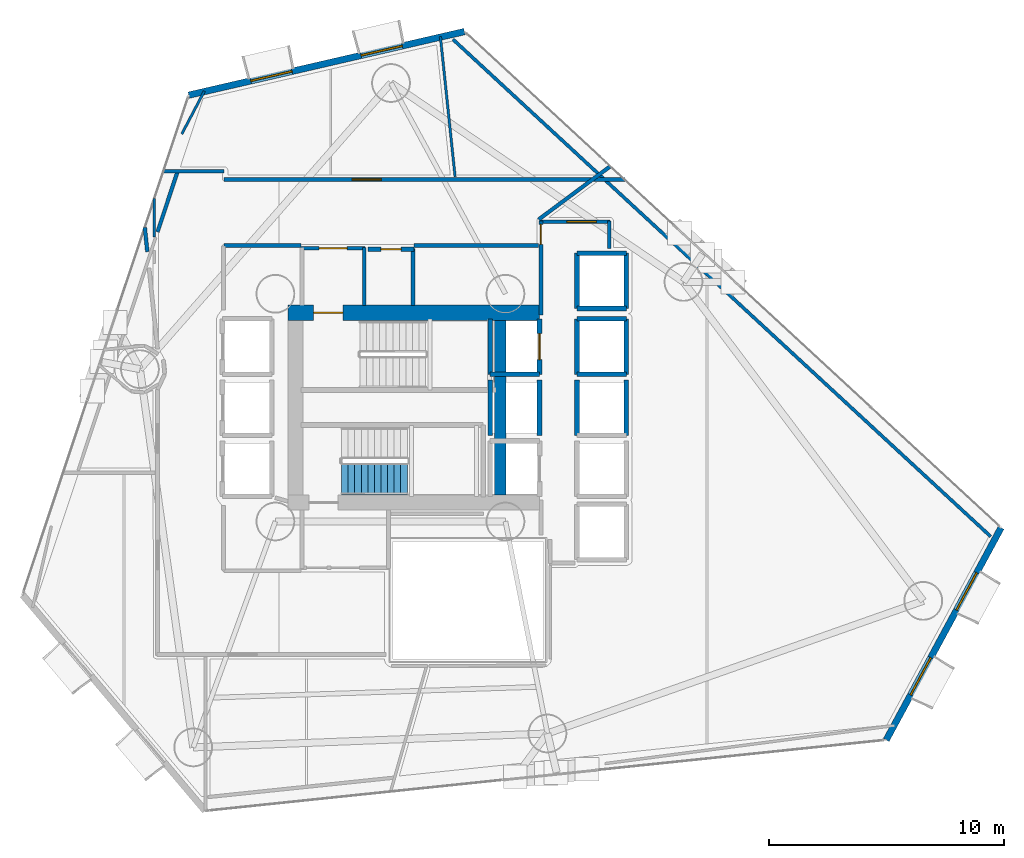
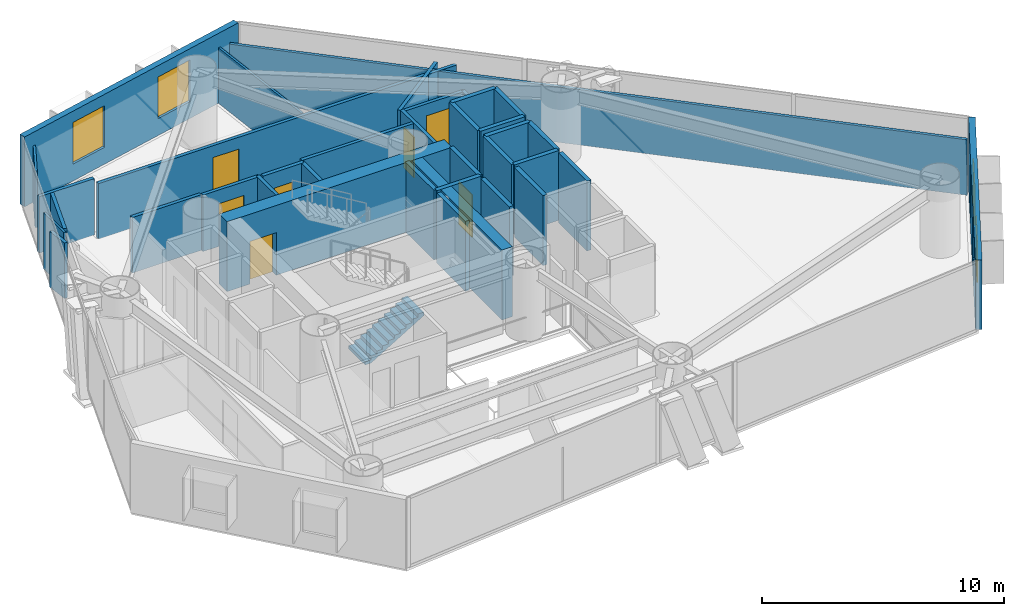
# One storey, part 19 of 23: 37 walls, 7 doors, 4 windows, 1 stair flight, 11 openings, 1 element without a shape of its own.
"""IFC4 building model written with IfcOpenShell, lengths in metres."""

from ifc_helpers import new_model, si_unit, direction, frame, frame_2d, origin, place, context, subcontext, project, spatial, polyline, rectangle, outline, extrude, material, layer, layer_set, type_object, element, fill, aggregate, save


model = new_model("IFC4")

# Units and contexts
model_context = context("Model", 3, precision=1e-05, world=origin(), true_north=direction((0.0, 1.0)))
body_context = subcontext(model_context, "Body", "Model", "MODEL_VIEW")
ifc_project = project(units=[si_unit("LENGTHUNIT", "METRE"), si_unit("AREAUNIT", "SQUARE_METRE"), si_unit("VOLUMEUNIT", "CUBIC_METRE"), si_unit("PLANEANGLEUNIT", "RADIAN"), si_unit("MASSUNIT", "GRAM", prefix="KILO")], contexts=[model_context])

# Site, building, storey
site_placement = place(None, origin())
site = spatial("IfcSite", under=ifc_project, at=site_placement, CompositionType="ELEMENT")
building_placement = place(site_placement, origin())
building = spatial("IfcBuilding", under=site, at=building_placement, Name="Qianvela Tower", CompositionType="ELEMENT")
storey_placement = place(building_placement, frame((0.0, 0.0, 67.300048828125)))
storey = spatial("IfcBuildingStorey", under=building, at=storey_placement, Name="L16", CompositionType="ELEMENT", Elevation=67.300048828125)

# Wall, openings, windows
ifc_material_1 = material(Name="Terracotta Cladding on Concrete C40", Category="masonry")
ifc_layer_1 = layer(ifc_material_1, 0.280029296875)
ifc_layer_set_1 = layer_set([ifc_layer_1], Name="Terracotta Cladding on Concrete C40")
wall_type_1 = type_object("IfcWallType", Name="TERRACOTTA-WALL-280", PredefinedType="SOLIDWALL", material=ifc_layer_set_1)
wall_1_placement = place(storey_placement, frame((54.622802734375, 14.543212890625, 0.0), z_axis=(0.0, 0.0, 1.0), x_axis=(0.475972488771, 0.879460169612, 0.0)))
wall_1 = element("IfcWall", 1, at=wall_1_placement, inside=storey, type_object=wall_type_1, Name="L16 Terracotta Chamfer Facet Wall 1", PredefinedType="SOLIDWALL", context=body_context, shape_type="SweptSolid", body=[
    extrude(rectangle(XDim=10.279541015625, YDim=0.280029296875, at=frame_2d((5.1396484375, 0.0))), origin(), (0.0, 0.0, 1.0), 3.52001953125),
])
opening_1_placement = place(wall_1_placement, frame((2.183837890625, 0.0, 0.85009765625)))
opening_1 = element("IfcOpeningElement", 2, at=opening_1_placement, cuts=wall_1, Name="Opening W-01", PredefinedType="OPENING", context=body_context, shape_type="SweptSolid", body=[
    extrude(rectangle(XDim=1.800048828125, YDim=2.10009765625, at=frame_2d((0.89990234375, 1.050048828125))), frame((0.0, 0.14990234375, 0.0), z_axis=(0.0, -1.0, 0.0), x_axis=(1.0, 0.0, 0.0)), (0.0, 0.0, 1.0), 0.300048828125),
])
opening_2_placement = place(wall_1_placement, frame((6.295654296875, 0.0, 0.85009765625)))
opening_2 = element("IfcOpeningElement", 3, at=opening_2_placement, cuts=wall_1, Name="Opening W-01", PredefinedType="OPENING", context=body_context, shape_type="SweptSolid", body=[
    extrude(rectangle(XDim=1.800048828125, YDim=2.10009765625, at=frame_2d((0.89990234375, 1.050048828125))), frame((0.0, 0.14990234375, 0.0), z_axis=(0.0, -1.0, 0.0), x_axis=(1.0, 0.0, 0.0)), (0.0, 0.0, 1.0), 0.300048828125),
])
ifc_material_2 = material(Name="Thermally Broken Aluminium and Low-E Glass", Category="aluminium")
window_type = type_object("IfcWindowType", Name="WIN-TC-1800x2100", PartitioningType="DOUBLE_PANEL_VERTICAL", PredefinedType="WINDOW", material=ifc_material_2)
window_1_placement = place(opening_1_placement, origin())
window_1 = element("IfcWindow", 4, at=window_1_placement, inside=storey, type_object=window_type, Name="L16 Chamfer Facet Window 1.1", OverallHeight=2.10009765625, OverallWidth=1.800048828125, PartitioningType="SINGLE_PANEL", PredefinedType="WINDOW", context=body_context, shape_type="SweptSolid", body=[
    extrude(rectangle(XDim=1.800048828125, YDim=2.10009765625, at=frame_2d((0.89990234375, 1.050048828125))), frame((0.0, 0.030029296875, 0.0), z_axis=(0.0, -1.0, 0.0), x_axis=(1.0, 0.0, 0.0)), (0.0, 0.0, 1.0), 0.06005859375),
])
fill(opening_1, window_1)
window_2_placement = place(opening_2_placement, origin())
window_2 = element("IfcWindow", 5, at=window_2_placement, inside=storey, type_object=window_type, Name="L16 Chamfer Facet Window 1.2", OverallHeight=2.10009765625, OverallWidth=1.800048828125, PartitioningType="SINGLE_PANEL", PredefinedType="WINDOW", context=body_context, shape_type="SweptSolid", body=[
    extrude(rectangle(XDim=1.800048828125, YDim=2.10009765625, at=frame_2d((0.89990234375, 1.050048828125))), frame((0.0, 0.030029296875, 0.0), z_axis=(0.0, -1.0, 0.0), x_axis=(1.0, 0.0, 0.0)), (0.0, 0.0, 1.0), 0.06005859375),
])
fill(opening_2, window_2)

wall_2_placement = place(storey_placement, frame((36.652587890625, 44.72021484375, 0.0), z_axis=(0.0, 0.0, 1.0), x_axis=(-0.974423623601, -0.224718939497, 0.0)))
wall_2 = element("IfcWall", 6, at=wall_2_placement, inside=storey, type_object=wall_type_1, Name="L16 Terracotta Chamfer Facet Wall 3", PredefinedType="SOLIDWALL", context=body_context, shape_type="SweptSolid", body=[
    extrude(rectangle(XDim=12.050537109375, YDim=0.280029296875, at=frame_2d((6.025390625, 0.0))), origin(), (0.0, 0.0, 1.0), 3.52001953125),
])
opening_3_placement = place(wall_2_placement, frame((2.715087890625, 0.0, 0.85009765625)))
opening_3 = element("IfcOpeningElement", 7, at=opening_3_placement, cuts=wall_2, Name="Opening W-01", PredefinedType="OPENING", context=body_context, shape_type="SweptSolid", body=[
    extrude(rectangle(XDim=1.800048828125, YDim=2.10009765625, at=frame_2d((0.89990234375, 1.050048828125))), frame((0.0, 0.14990234375, 0.0), z_axis=(0.0, -1.0, 0.0), x_axis=(1.0, 0.0, 0.0)), (0.0, 0.0, 1.0), 0.300048828125),
])
opening_4_placement = place(wall_2_placement, frame((7.535400390625, 0.0, 0.85009765625)))
opening_4 = element("IfcOpeningElement", 8, at=opening_4_placement, cuts=wall_2, Name="Opening W-01", PredefinedType="OPENING", context=body_context, shape_type="SweptSolid", body=[
    extrude(rectangle(XDim=1.800048828125, YDim=2.10009765625, at=frame_2d((0.89990234375, 1.050048828125))), frame((0.0, 0.14990234375, 0.0), z_axis=(0.0, -1.0, 0.0), x_axis=(1.0, 0.0, 0.0)), (0.0, 0.0, 1.0), 0.300048828125),
])
window_3_placement = place(opening_3_placement, origin())
window_3 = element("IfcWindow", 9, at=window_3_placement, inside=storey, type_object=window_type, Name="L16 Chamfer Facet Window 3.1", OverallHeight=2.10009765625, OverallWidth=1.800048828125, PartitioningType="SINGLE_PANEL", PredefinedType="WINDOW", context=body_context, shape_type="SweptSolid", body=[
    extrude(rectangle(XDim=1.800048828125, YDim=2.10009765625, at=frame_2d((0.89990234375, 1.050048828125))), frame((0.0, 0.030029296875, 0.0), z_axis=(0.0, -1.0, 0.0), x_axis=(1.0, 0.0, 0.0)), (0.0, 0.0, 1.0), 0.06005859375),
])
fill(opening_3, window_3)
window_4_placement = place(opening_4_placement, origin())
window_4 = element("IfcWindow", 10, at=window_4_placement, inside=storey, type_object=window_type, Name="L16 Chamfer Facet Window 3.2", OverallHeight=2.10009765625, OverallWidth=1.800048828125, PartitioningType="SINGLE_PANEL", PredefinedType="WINDOW", context=body_context, shape_type="SweptSolid", body=[
    extrude(rectangle(XDim=1.800048828125, YDim=2.10009765625, at=frame_2d((0.89990234375, 1.050048828125))), frame((0.0, 0.030029296875, 0.0), z_axis=(0.0, -1.0, 0.0), x_axis=(1.0, 0.0, 0.0)), (0.0, 0.0, 1.0), 0.06005859375),
])
fill(opening_4, window_4)

# Wall, opening, door
ifc_material_3 = material(Name="Concrete C60", Category="concrete")
ifc_layer_2 = layer(ifc_material_3, 0.64990234375)
ifc_layer_set_2 = layer_set([ifc_layer_2], Name="Concrete C60")
wall_type_2 = type_object("IfcWallType", Name="WT-CORE-650", PredefinedType="SHEAR", material=ifc_layer_set_2)
wall_3_placement = place(storey_placement, frame((29.1298828125, 32.7451171875, 0.0), z_axis=(0.0, 0.0, 1.0), x_axis=(1.0, 0.0, 0.0)))
wall_3 = element("IfcWall", 11, at=wall_3_placement, inside=storey, type_object=wall_type_2, Name="L16 North Core Shear Wall", PredefinedType="SHEAR", context=body_context, shape_type="SweptSolid", body=[
    extrude(rectangle(XDim=10.72021484375, YDim=0.64990234375, at=frame_2d((5.360107421875, 0.0))), origin(), (0.0, 0.0, 1.0), 3.52001953125),
])
opening_5_placement = place(wall_3_placement, frame((1.094970703125, 0.0, 0.0)))
opening_5 = element("IfcOpeningElement", 12, at=opening_5_placement, cuts=wall_3, Name="Opening D-ST1", PredefinedType="OPENING", context=body_context, shape_type="SweptSolid", body=[
    extrude(rectangle(XDim=1.25, YDim=2.14990234375, at=frame_2d((0.625, 1.074951171875))), frame((0.0, 0.3349609375, 0.0), z_axis=(0.0, -1.0, 0.0), x_axis=(1.0, 0.0, 0.0)), (0.0, 0.0, 1.0), 0.669921875),
])
ifc_material_4 = material(Name="Galvanised Fire Steel Q355B", Category="steel")
door_type_1 = type_object("IfcDoorType", Name="DT-STAIR-FD90", OperationType="NOTDEFINED", PredefinedType="DOOR", material=ifc_material_4)
door_1_placement = place(opening_5_placement, origin())
door_1 = element("IfcDoor", 13, at=door_1_placement, inside=storey, type_object=door_type_1, Name="L16 Stair ST-1 Exit Door", OperationType="SINGLE_SWING_RIGHT", OverallHeight=2.14990234375, OverallWidth=1.25, PredefinedType="DOOR", context=body_context, shape_type="SweptSolid", body=[
    extrude(rectangle(XDim=1.25, YDim=2.14990234375, at=frame_2d((0.625, 1.074951171875))), frame((0.0, 0.02490234375, 0.0), z_axis=(0.0, -1.0, 0.0), x_axis=(1.0, 0.0, 0.0)), (0.0, 0.0, 1.0), 0.050048828125),
])
fill(opening_5, door_1)

# Wall
wall_4_placement = place(storey_placement, frame((38.179931640625, 24.97998046875, 0.0), z_axis=(0.0, 0.0, 1.0), x_axis=(0.0, 1.0, 0.0)))
element("IfcWall", 14, at=wall_4_placement, inside=storey, type_object=wall_type_2, Name="L16 East Spine Core Shear Wall", PredefinedType="SHEAR", context=body_context, shape_type="SweptSolid", body=[
    extrude(rectangle(XDim=7.43994140625, YDim=0.5, at=frame_2d((3.719970703125, 0.0))), origin(), (0.0, 0.0, 1.0), 3.52001953125),
])

# Wall, opening, door
ifc_material_5 = material(Name="Fire-Rated Gypsum and Concrete Block", Category="concrete")
ifc_layer_3 = layer(ifc_material_5, 0.159912109375)
ifc_layer_set_3 = layer_set([ifc_layer_3], Name="Fire-Rated Gypsum and Concrete Block")
wall_type_3 = type_object("IfcWallType", Name="WT-CORR-160", PredefinedType="PARTITIONING", material=ifc_layer_set_3)
wall_5_placement = place(storey_placement, frame((29.699951171875, 35.489013671875, 0.0), z_axis=(0.0, 0.0, 1.0), x_axis=(1.0, 0.0, 0.0)))
wall_5 = element("IfcWall", 15, at=wall_5_placement, inside=storey, type_object=wall_type_3, Name="L16 Partition 3", PredefinedType="PARTITIONING", context=body_context, shape_type="SweptSolid", body=[
    extrude(rectangle(XDim=2.719970703125, YDim=0.159912109375, at=frame_2d((1.35986328125, 0.0))), origin(), (0.0, 0.0, 1.0), 2.83984375),
])
opening_6_placement = place(wall_5_placement, frame((0.760009765625, 0.0, 0.0)))
opening_6 = element("IfcOpeningElement", 16, at=opening_6_placement, cuts=wall_5, Name="Opening D-LB1", PredefinedType="OPENING", context=body_context, shape_type="SweptSolid", body=[
    extrude(rectangle(XDim=1.199951171875, YDim=2.14990234375, at=frame_2d((0.60009765625, 1.074951171875))), frame((0.0, 0.08984375, 0.0), z_axis=(0.0, -1.0, 0.0), x_axis=(1.0, 0.0, 0.0)), (0.0, 0.0, 1.0), 0.179931640625),
])
ifc_material_6 = material(Name="Glazed Fire-Rated Steel Frame", Category="steel")
door_type_2 = type_object("IfcDoorType", Name="DT-LOBBY-FD90", OperationType="NOTDEFINED", PredefinedType="DOOR", material=ifc_material_6)
door_2_placement = place(opening_6_placement, origin())
door_2 = element("IfcDoor", 17, at=door_2_placement, inside=storey, type_object=door_type_2, Name="L16 Door L16 Firefighting Lobby North to L16 Floor Corridor", OperationType="SINGLE_SWING_RIGHT", OverallHeight=2.14990234375, OverallWidth=1.199951171875, PredefinedType="DOOR", context=body_context, shape_type="SweptSolid", body=[
    extrude(rectangle(XDim=1.199951171875, YDim=2.14990234375, at=frame_2d((0.60009765625, 1.074951171875))), frame((0.0, 0.02490234375, 0.0), z_axis=(0.0, -1.0, 0.0), x_axis=(1.0, 0.0, 0.0)), (0.0, 0.0, 1.0), 0.050048828125),
])
fill(opening_6, door_2)

# Wall
wall_6_placement = place(storey_placement, frame((32.388916015625, 35.52001953125, 0.0), z_axis=(0.0, 0.0, 1.0), x_axis=(0.0, -1.0, 0.0)))
element("IfcWall", 18, at=wall_6_placement, inside=storey, type_object=wall_type_3, Name="L16 Partition 4", PredefinedType="PARTITIONING", context=body_context, shape_type="SweptSolid", body=[
    extrude(rectangle(XDim=2.4619140625, YDim=0.159912109375, at=frame_2d((1.23095703125, 0.0))), origin(), (0.0, 0.0, 1.0), 2.83984375),
])

# Wall, opening, door
wall_7_placement = place(storey_placement, frame((39.910888671875, 32.639892578125, 0.0), z_axis=(0.0, 0.0, 1.0), x_axis=(0.0, 1.0, 0.0)))
wall_7 = element("IfcWall", 19, at=wall_7_placement, inside=storey, type_object=wall_type_3, Name="L16 Partition 10", PredefinedType="PARTITIONING", context=body_context, shape_type="SweptSolid", body=[
    extrude(rectangle(XDim=4.010009765625, YDim=0.159912109375, at=frame_2d((2.0048828125, 0.0))), origin(), (0.0, 0.0, 1.0), 2.83984375),
])
opening_7_placement = place(wall_7_placement, frame((3.010009765625, 0.0, 0.0)))
opening_7 = element("IfcOpeningElement", 20, at=opening_7_placement, cuts=wall_7, Name="Opening D-LB2", PredefinedType="OPENING", context=body_context, shape_type="SweptSolid", body=[
    extrude(rectangle(XDim=0.860107421875, YDim=2.050048828125, at=frame_2d((0.43017578125, 1.02490234375))), frame((0.0, 0.08984375, 0.0), z_axis=(0.0, -1.0, 0.0), x_axis=(1.0, 0.0, 0.0)), (0.0, 0.0, 1.0), 0.179931640625),
])
ifc_material_7 = material(Name="Insulated Steel Fire Door Q355B", Category="steel")
door_type_3 = type_object("IfcDoorType", Name="DT-LOBBY-FD90-860", OperationType="NOTDEFINED", PredefinedType="DOOR", material=ifc_material_7)
door_3_placement = place(opening_7_placement, origin())
door_3 = element("IfcDoor", 21, at=door_3_placement, inside=storey, type_object=door_type_3, Name="L16 Door L16 Lift Lobby to L16 Floor Corridor", OperationType="SINGLE_SWING_RIGHT", OverallHeight=2.050048828125, OverallWidth=0.860107421875, PredefinedType="DOOR", context=body_context, shape_type="SweptSolid", body=[
    extrude(rectangle(XDim=0.860107421875, YDim=2.050048828125, at=frame_2d((0.43017578125, 1.02490234375))), frame((0.0, 0.02490234375, 0.0), z_axis=(0.0, -1.0, 0.0), x_axis=(1.0, 0.0, 0.0)), (0.0, 0.0, 1.0), 0.050048828125),
])
fill(opening_7, door_3)

wall_8_placement = place(storey_placement, frame((39.8798828125, 36.618896484375, 0.0), z_axis=(0.0, 0.0, 1.0), x_axis=(1.0, 0.0, 0.0)))
wall_8 = element("IfcWall", 22, at=wall_8_placement, inside=storey, type_object=wall_type_3, Name="L16 Partition 11", PredefinedType="PARTITIONING", context=body_context, shape_type="SweptSolid", body=[
    extrude(rectangle(XDim=2.97021484375, YDim=0.159912109375, at=frame_2d((1.485107421875, 0.0))), origin(), (0.0, 0.0, 1.0), 2.7978515625),
])
opening_8_placement = place(wall_8_placement, frame((1.139892578125, 0.0, 0.0)))
opening_8 = element("IfcOpeningElement", 23, at=opening_8_placement, cuts=wall_8, Name="Opening D-LG1", PredefinedType="OPENING", context=body_context, shape_type="SweptSolid", body=[
    extrude(rectangle(XDim=1.25, YDim=2.199951171875, at=frame_2d((0.625, 1.10009765625))), frame((0.0, 0.08984375, 0.0), z_axis=(0.0, -1.0, 0.0), x_axis=(1.0, 0.0, 0.0)), (0.0, 0.0, 1.0), 0.179931640625),
])
ifc_material_8 = material(Name="Anodised Aluminium Acoustic Glass Door", Category="aluminium")
door_type_4 = type_object("IfcDoorType", Name="DT-LOUNGE-1250", OperationType="NOTDEFINED", PredefinedType="DOOR", material=ifc_material_8)
door_4_placement = place(opening_8_placement, origin())
door_4 = element("IfcDoor", 24, at=door_4_placement, inside=storey, type_object=door_type_4, Name="L16 Door Tutorial Breakout Seminar L16-03 to L16 Lift Lobby", OperationType="SINGLE_SWING_LEFT", OverallHeight=2.199951171875, OverallWidth=1.25, PredefinedType="DOOR", context=body_context, shape_type="SweptSolid", body=[
    extrude(rectangle(XDim=1.25, YDim=2.199951171875, at=frame_2d((0.625, 1.10009765625))), frame((0.0, 0.02490234375, 0.0), z_axis=(0.0, -1.0, 0.0), x_axis=(1.0, 0.0, 0.0)), (0.0, 0.0, 1.0), 0.050048828125),
])
fill(opening_8, door_4)

# Walls
wall_9_placement = place(storey_placement, frame((42.819091796875, 36.64990234375, 0.0), z_axis=(0.0, 0.0, 1.0), x_axis=(0.0, -1.0, 0.0)))
element("IfcWall", 25, at=wall_9_placement, inside=storey, type_object=wall_type_3, Name="L16 Partition 12", PredefinedType="PARTITIONING", context=body_context, shape_type="SweptSolid", body=[
    extrude(rectangle(XDim=1.169921875, YDim=0.159912109375, at=frame_2d((0.5849609375, 0.0))), origin(), (0.0, 0.0, 1.0), 2.7978515625),
])
wall_10_placement = place(storey_placement, frame((23.579345703125, 36.18701171875, 0.0), z_axis=(0.0, 0.0, 1.0), x_axis=(0.315640384711, 0.948878889816, 0.0)))
element("IfcWall", 26, at=wall_10_placement, inside=storey, type_object=wall_type_3, Name="L16 Partition 36", PredefinedType="PARTITIONING", context=body_context, shape_type="SweptSolid", body=[
    extrude(rectangle(XDim=2.743408203125, YDim=0.159912109375, at=frame_2d((1.37158203125, 0.0))), origin(), (0.0, 0.0, 1.0), 2.83984375),
])
wall_11_placement = place(storey_placement, frame((23.811279296875, 38.76904296875, 0.0), z_axis=(0.0, 0.0, 1.0), x_axis=(1.0, 0.0, 0.0)))
element("IfcWall", 27, at=wall_11_placement, inside=storey, type_object=wall_type_3, Name="L16 Partition 37", PredefinedType="PARTITIONING", context=body_context, shape_type="SweptSolid", body=[
    extrude(rectangle(XDim=2.608642578125, YDim=0.159912109375, at=frame_2d((1.30419921875, 0.0))), origin(), (0.0, 0.0, 1.0), 2.83984375),
])

# Wall, opening, door
wall_12_placement = place(storey_placement, frame((26.419921875, 38.4189453125, 0.0), z_axis=(0.0, 0.0, 1.0), x_axis=(1.0, 0.0, 0.0)))
wall_12 = element("IfcWall", 28, at=wall_12_placement, inside=storey, type_object=wall_type_3, Name="L16 Partition 38", PredefinedType="PARTITIONING", context=body_context, shape_type="SweptSolid", body=[
    extrude(rectangle(XDim=17.068603515625, YDim=0.159912109375, at=frame_2d((8.5341796875, 0.0))), origin(), (0.0, 0.0, 1.0), 2.7978515625),
])
opening_9_placement = place(wall_12_placement, frame((5.44580078125, 0.0, 0.0)))
opening_9 = element("IfcOpeningElement", 29, at=opening_9_placement, cuts=wall_12, Name="Opening D-LG1", PredefinedType="OPENING", context=body_context, shape_type="SweptSolid", body=[
    extrude(rectangle(XDim=1.25, YDim=2.199951171875, at=frame_2d((0.625, 1.10009765625))), frame((0.0, 0.08984375, 0.0), z_axis=(0.0, -1.0, 0.0), x_axis=(1.0, 0.0, 0.0)), (0.0, 0.0, 1.0), 0.179931640625),
])
door_5_placement = place(opening_9_placement, origin())
door_5 = element("IfcDoor", 30, at=door_5_placement, inside=storey, type_object=door_type_4, Name="L16 Door Print Copy Kiosk L16-04 to L16 Floor Corridor", OperationType="SINGLE_SWING_RIGHT", OverallHeight=2.199951171875, OverallWidth=1.25, PredefinedType="DOOR", context=body_context, shape_type="SweptSolid", body=[
    extrude(rectangle(XDim=1.25, YDim=2.199951171875, at=frame_2d((0.625, 1.10009765625))), frame((0.0, 0.02490234375, 0.0), z_axis=(0.0, -1.0, 0.0), x_axis=(1.0, 0.0, 0.0)), (0.0, 0.0, 1.0), 0.050048828125),
])
fill(opening_9, door_5)

# Walls
wall_13_placement = place(storey_placement, frame((42.879150390625, 38.99072265625, 0.0), z_axis=(0.0, 0.0, 1.0), x_axis=(-0.802814676043, -0.596228644003, 0.0)))
element("IfcWall", 31, at=wall_13_placement, inside=storey, type_object=wall_type_3, Name="L16 Partition 39", PredefinedType="PARTITIONING", context=body_context, shape_type="SweptSolid", body=[
    extrude(rectangle(XDim=3.818359375, YDim=0.159912109375, at=frame_2d((1.9091796875, 0.0))), origin(), (0.0, 0.0, 1.0), 2.7978515625),
])
wall_14_placement = place(storey_placement, frame((39.818115234375, 35.611083984375, 0.0), z_axis=(0.0, 0.0, 1.0), x_axis=(-1.0, 0.0, 0.0)))
element("IfcWall", 32, at=wall_14_placement, inside=storey, type_object=wall_type_3, Name="L16 Partition 41 seg 1", PredefinedType="PARTITIONING", context=body_context, shape_type="SweptSolid", body=[
    extrude(rectangle(XDim=5.318115234375, YDim=0.159912109375, at=frame_2d((2.6591796875, 0.0))), origin(), (0.0, 0.0, 1.0), 2.83984375),
])
wall_15_placement = place(storey_placement, frame((29.699951171875, 35.611083984375, 0.0), z_axis=(0.0, 0.0, 1.0), x_axis=(-1.0, 0.0, 0.0)))
element("IfcWall", 33, at=wall_15_placement, inside=storey, type_object=wall_type_3, Name="L16 Partition 41 seg 3", PredefinedType="PARTITIONING", context=body_context, shape_type="SweptSolid", body=[
    extrude(rectangle(XDim=3.280029296875, YDim=0.159912109375, at=frame_2d((1.64013671875, 0.0))), origin(), (0.0, 0.0, 1.0), 2.7978515625),
])
wall_16_placement = place(storey_placement, frame((23.14501953125, 35.3408203125, 0.0), z_axis=(0.0, 0.0, 1.0), x_axis=(-0.104623865152, 0.9945118636, 0.0)))
element("IfcWall", 34, at=wall_16_placement, inside=storey, type_object=wall_type_3, Name="L16 Partition 35 trim 1", PredefinedType="PARTITIONING", context=body_context, shape_type="SweptSolid", body=[
    extrude(rectangle(XDim=1.04296875, YDim=0.159912109375, at=frame_2d((0.521484375, 0.0))), origin(), (0.0, 0.0, 1.0), 2.7978515625),
])
ifc_material_9 = material(Name="Lightweight Gypsum Room Partition")
ifc_layer_4 = layer(ifc_material_9, 0.10498046875)
ifc_layer_set_4 = layer_set([ifc_layer_4], Name="Lightweight Gypsum Room Partition")
wall_type_4 = type_object("IfcWallType", Name="WT-PART-105", PredefinedType="PARTITIONING", material=ifc_layer_set_4)
wall_17_placement = place(storey_placement, frame((36.256103515625, 38.533203125, 0.0), z_axis=(0.0, 0.0, 1.0), x_axis=(-0.104542966458, 0.994520370915, 0.0)))
element("IfcWall", 35, at=wall_17_placement, inside=storey, type_object=wall_type_4, Name="L16 Partition 69", PredefinedType="PARTITIONING", context=body_context, shape_type="SweptSolid", body=[
    extrude(rectangle(XDim=6.004150390625, YDim=0.10498046875, at=frame_2d((3.001953125, 0.0))), origin(), (0.0, 0.0, 1.0), 2.7978515625),
])
wall_18_placement = place(storey_placement, frame((24.6123046875, 40.356201171875, 0.0), z_axis=(0.0, 0.0, 1.0), x_axis=(0.465848789878, 0.884864342693, 0.0)))
element("IfcWall", 36, at=wall_18_placement, inside=storey, type_object=wall_type_4, Name="L16 Partition 81 seg 1", PredefinedType="PARTITIONING", context=body_context, shape_type="SweptSolid", body=[
    extrude(rectangle(XDim=2.064453125, YDim=0.10498046875, at=frame_2d((1.0322265625, 0.0))), origin(), (0.0, 0.0, 1.0), 2.83984375),
])
wall_19_placement = place(storey_placement, frame((23.43896484375, 37.609375, 0.0), z_axis=(0.0, 0.0, 1.0), x_axis=(0.0, -1.0, 0.0)))
element("IfcWall", 37, at=wall_19_placement, inside=storey, type_object=wall_type_4, Name="L16 Partition 96 seg 1", PredefinedType="PARTITIONING", context=body_context, shape_type="SweptSolid", body=[
    extrude(rectangle(XDim=1.642822265625, YDim=0.10498046875, at=frame_2d((0.8212890625, 0.0))), origin(), (0.0, 0.0, 1.0), 2.83984375),
])

# Wall, opening, door
ifc_material_10 = material(Name="Moisture-Resistant Acoustic Plumbing Wall")
ifc_layer_5 = layer(ifc_material_10, 0.175048828125)
ifc_layer_set_5 = layer_set([ifc_layer_5], Name="Moisture-Resistant Acoustic Plumbing Wall")
wall_type_5 = type_object("IfcWallType", Name="WT-PLUMB-175", PredefinedType="PLUMBINGWALL", material=ifc_layer_set_5)
wall_20_placement = place(storey_placement, frame((32.550048828125, 35.448974609375, 0.0), z_axis=(0.0, 0.0, 1.0), x_axis=(1.0, 0.0, 0.0)))
wall_20 = element("IfcWall", 38, at=wall_20_placement, inside=storey, type_object=wall_type_5, Name="L16 Partition 20", PredefinedType="PLUMBINGWALL", context=body_context, shape_type="SweptSolid", body=[
    extrude(rectangle(XDim=1.949951171875, YDim=0.175048828125, at=frame_2d((0.97509765625, 0.0))), origin(), (0.0, 0.0, 1.0), 2.83984375),
])
opening_10_placement = place(wall_20_placement, frame((0.544921875, 0.0, 0.0)))
opening_10 = element("IfcOpeningElement", 39, at=opening_10_placement, cuts=wall_20, Name="Opening D-WC1", PredefinedType="OPENING", context=body_context, shape_type="SweptSolid", body=[
    extrude(rectangle(XDim=0.860107421875, YDim=2.050048828125, at=frame_2d((0.43017578125, 1.02490234375))), frame((0.0, 0.097412109375, 0.0), z_axis=(0.0, -1.0, 0.0), x_axis=(1.0, 0.0, 0.0)), (0.0, 0.0, 1.0), 0.195068359375),
])
ifc_material_11 = material(Name="Moisture-Sealed Acoustic Timber Door", Category="wood")
door_type_5 = type_object("IfcDoorType", Name="DT-WC-860", OperationType="NOTDEFINED", PredefinedType="DOOR", material=ifc_material_11)
door_6_placement = place(opening_10_placement, origin())
door_6 = element("IfcDoor", 40, at=door_6_placement, inside=storey, type_object=door_type_5, Name="L16 Door L16 Accessible WC to L16 Floor Corridor", OperationType="SINGLE_SWING_LEFT", OverallHeight=2.050048828125, OverallWidth=0.860107421875, PredefinedType="DOOR", context=body_context, shape_type="SweptSolid", body=[
    extrude(rectangle(XDim=0.860107421875, YDim=2.050048828125, at=frame_2d((0.43017578125, 1.02490234375))), frame((0.0, 0.02490234375, 0.0), z_axis=(0.0, -1.0, 0.0), x_axis=(1.0, 0.0, 0.0)), (0.0, 0.0, 1.0), 0.050048828125),
])
fill(opening_10, door_6)

# Walls
wall_21_placement = place(storey_placement, frame((34.468994140625, 35.47998046875, 0.0), z_axis=(0.0, 0.0, 1.0), x_axis=(0.0, -1.0, 0.0)))
element("IfcWall", 41, at=wall_21_placement, inside=storey, type_object=wall_type_5, Name="L16 Partition 21", PredefinedType="PLUMBINGWALL", context=body_context, shape_type="SweptSolid", body=[
    extrude(rectangle(XDim=2.421875, YDim=0.175048828125, at=frame_2d((1.2109375, 0.0))), origin(), (0.0, 0.0, 1.0), 2.83984375),
])
ifc_material_12 = material(Name="Acoustic Double Gypsum Stud Partition")
ifc_layer_6 = layer(ifc_material_12, 0.139892578125)
ifc_layer_set_6 = layer_set([ifc_layer_6], Name="Acoustic Double Gypsum Stud Partition")
wall_type_6 = type_object("IfcWallType", Name="WT-ROOM-140", PredefinedType="PARTITIONING", material=ifc_layer_set_6)
wall_22_placement = place(storey_placement, frame((36.166748046875, 44.385009765625, 0.0), z_axis=(0.0, 0.0, 1.0), x_axis=(0.734284800638, -0.678841536408, 0.0)))
element("IfcWall", 42, at=wall_22_placement, inside=storey, type_object=wall_type_6, Name="L16 Partition 70", PredefinedType="PARTITIONING", context=body_context, shape_type="SweptSolid", body=[
    extrude(rectangle(XDim=31.1982421875, YDim=0.139892578125, at=frame_2d((15.59912109375, 0.0))), origin(), (0.0, 0.0, 1.0), 2.7978515625),
])

# Wall, opening, door
ifc_material_13 = material(Name="Concrete C50", Category="concrete")
ifc_layer_7 = layer(ifc_material_13, 0.199951171875)
ifc_layer_set_7 = layer_set([ifc_layer_7], Name="Concrete C50")
wall_type_7 = type_object("IfcWallType", Name="WT-SHAFT-200", PredefinedType="SOLIDWALL", material=ifc_layer_set_7)
wall_23_placement = place(storey_placement, frame((39.85009765625, 30.1201171875, 0.0), z_axis=(0.0, 0.0, 1.0), x_axis=(0.0, 1.0, 0.0)))
wall_23 = element("IfcWall", 43, at=wall_23_placement, inside=storey, type_object=wall_type_7, Name="L16 Lift FL-1 E Shaft Wall", PredefinedType="SOLIDWALL", context=body_context, shape_type="SweptSolid", body=[
    extrude(rectangle(XDim=2.35986328125, YDim=0.199951171875, at=frame_2d((1.179931640625, 0.0))), origin(), (0.0, 0.0, 1.0), 3.52001953125),
])
opening_11_placement = place(wall_23_placement, frame((0.6298828125, 0.0, 0.0)))
opening_11 = element("IfcOpeningElement", 44, at=opening_11_placement, cuts=wall_23, Name="Opening LD-01", PredefinedType="OPENING", context=body_context, shape_type="SweptSolid", body=[
    extrude(rectangle(XDim=1.10009765625, YDim=2.14990234375, at=frame_2d((0.550048828125, 1.074951171875))), frame((0.0, 0.10986328125, 0.0), z_axis=(0.0, -1.0, 0.0), x_axis=(1.0, 0.0, 0.0)), (0.0, 0.0, 1.0), 0.219970703125),
])
ifc_material_14 = material(Name="Brushed Stainless Steel Lift Landing Door", Category="steel")
door_type_6 = type_object("IfcDoorType", Name="DT-LIFT-SLIDE-1100", OperationType="SLIDING_TO_LEFT", PredefinedType="DOOR", material=ifc_material_14)
door_7_placement = place(opening_11_placement, origin())
door_7 = element("IfcDoor", 45, at=door_7_placement, inside=storey, type_object=door_type_6, Name="L16 Lift FL-1 Sliding Landing Door", OperationType="SLIDING_TO_LEFT", OverallHeight=2.14990234375, OverallWidth=1.10009765625, PredefinedType="DOOR", context=body_context, shape_type="SweptSolid", body=[
    extrude(rectangle(XDim=1.10009765625, YDim=2.14990234375, at=frame_2d((0.550048828125, 1.074951171875))), frame((0.0, 0.02490234375, 0.0), z_axis=(0.0, -1.0, 0.0), x_axis=(1.0, 0.0, 0.0)), (0.0, 0.0, 1.0), 0.050048828125),
])
fill(opening_11, door_7)

# Walls
wall_24_placement = place(storey_placement, frame((37.75, 30.1201171875, 0.0), z_axis=(0.0, 0.0, 1.0), x_axis=(0.0, 1.0, 0.0)))
element("IfcWall", 46, at=wall_24_placement, inside=storey, type_object=wall_type_7, Name="L16 Lift FL-1 W Shaft Wall", PredefinedType="SOLIDWALL", context=body_context, shape_type="SweptSolid", body=[
    extrude(rectangle(XDim=2.35986328125, YDim=0.199951171875, at=frame_2d((1.179931640625, 0.0))), origin(), (0.0, 0.0, 1.0), 3.52001953125),
])
wall_25_placement = place(storey_placement, frame((37.75, 30.1201171875, 0.0), z_axis=(0.0, 0.0, 1.0), x_axis=(1.0, 0.0, 0.0)))
element("IfcWall", 47, at=wall_25_placement, inside=storey, type_object=wall_type_7, Name="L16 Lift FL-1 S Shaft Wall", PredefinedType="SOLIDWALL", context=body_context, shape_type="SweptSolid", body=[
    extrude(rectangle(XDim=2.10009765625, YDim=0.199951171875, at=frame_2d((1.050048828125, 0.0))), origin(), (0.0, 0.0, 1.0), 3.52001953125),
])
for number, where, z_axis, x_axis, name in (
    (48, (43.550048828125, 30.1201171875, 0.0), (0.0, 0.0, 1.0), (0.0, 1.0, 0.0), "L16 Lift PL-M1 E Shaft Wall"),
    (49, (41.449951171875, 30.1201171875, 0.0), (0.0, 0.0, 1.0), (0.0, 1.0, 0.0), "L16 Lift PL-M1 W Shaft Wall"),
):
    element("IfcWall", number, at=place(storey_placement, frame(where, z_axis=z_axis, x_axis=x_axis)), inside=storey, type_object=wall_type_7, Name=name, PredefinedType="SOLIDWALL", context=body_context, shape_type="SweptSolid", body=[
        extrude(rectangle(XDim=2.35986328125, YDim=0.199951171875, at=frame_2d((1.179931640625, 0.0))), origin(), (0.0, 0.0, 1.0), 3.52001953125),
    ])
for number, where, z_axis, x_axis, name in (
    (50, (41.449951171875, 32.47998046875, 0.0), (0.0, 0.0, 1.0), (1.0, 0.0, 0.0), "L16 Lift PL-M1 N Shaft Wall"),
    (51, (41.449951171875, 30.1201171875, 0.0), (0.0, 0.0, 1.0), (1.0, 0.0, 0.0), "L16 Lift PL-M1 S Shaft Wall"),
):
    element("IfcWall", number, at=place(storey_placement, frame(where, z_axis=z_axis, x_axis=x_axis)), inside=storey, type_object=wall_type_7, Name=name, PredefinedType="SOLIDWALL", context=body_context, shape_type="SweptSolid", body=[
        extrude(rectangle(XDim=2.10009765625, YDim=0.199951171875, at=frame_2d((1.050048828125, 0.0))), origin(), (0.0, 0.0, 1.0), 3.52001953125),
    ])
for number, where, z_axis, x_axis, name in (
    (52, (43.550048828125, 27.52001953125, 0.0), (0.0, 0.0, 1.0), (0.0, 1.0, 0.0), "L16 Lift PL-M2 E Shaft Wall"),
    (53, (41.449951171875, 27.52001953125, 0.0), (0.0, 0.0, 1.0), (0.0, 1.0, 0.0), "L16 Lift PL-M2 W Shaft Wall"),
    (54, (39.85009765625, 27.52001953125, 0.0), (0.0, 0.0, 1.0), (0.0, 1.0, 0.0), "L16 Lift PL-H1 E Shaft Wall"),
    (55, (37.75, 27.52001953125, 0.0), (0.0, 0.0, 1.0), (0.0, 1.0, 0.0), "L16 Lift PL-H1 W Shaft Wall"),
):
    element("IfcWall", number, at=place(storey_placement, frame(where, z_axis=z_axis, x_axis=x_axis)), inside=storey, type_object=wall_type_7, Name=name, PredefinedType="SOLIDWALL", context=body_context, shape_type="SweptSolid", body=[
        extrude(rectangle(XDim=2.35986328125, YDim=0.199951171875, at=frame_2d((1.179931640625, 0.0))), origin(), (0.0, 0.0, 1.0), 3.52001953125),
    ])
for number, where, z_axis, x_axis, name in (
    (56, (43.550048828125, 32.919921875, 0.0), (0.0, 0.0, 1.0), (0.0, 1.0, 0.0), "L16 Lift PL-H3 E Shaft Wall"),
    (57, (41.449951171875, 32.919921875, 0.0), (0.0, 0.0, 1.0), (0.0, 1.0, 0.0), "L16 Lift PL-H3 W Shaft Wall"),
):
    element("IfcWall", number, at=place(storey_placement, frame(where, z_axis=z_axis, x_axis=x_axis)), inside=storey, type_object=wall_type_7, Name=name, PredefinedType="SOLIDWALL", context=body_context, shape_type="SweptSolid", body=[
        extrude(rectangle(XDim=2.360107421875, YDim=0.199951171875, at=frame_2d((1.18017578125, 0.0))), origin(), (0.0, 0.0, 1.0), 3.52001953125),
    ])
for number, where, z_axis, x_axis, name in (
    (58, (41.449951171875, 35.280029296875, 0.0), (0.0, 0.0, 1.0), (1.0, 0.0, 0.0), "L16 Lift PL-H3 N Shaft Wall"),
    (59, (41.449951171875, 32.919921875, 0.0), (0.0, 0.0, 1.0), (1.0, 0.0, 0.0), "L16 Lift PL-H3 S Shaft Wall"),
):
    element("IfcWall", number, at=place(storey_placement, frame(where, z_axis=z_axis, x_axis=x_axis)), inside=storey, type_object=wall_type_7, Name=name, PredefinedType="SOLIDWALL", context=body_context, shape_type="SweptSolid", body=[
        extrude(rectangle(XDim=2.10009765625, YDim=0.199951171875, at=frame_2d((1.050048828125, 0.0))), origin(), (0.0, 0.0, 1.0), 3.52001953125),
    ])

# Stair, stair flight
ifc_material_15 = material(Name="Concrete C40", Category="concrete")
stair_type = type_object("IfcStairType", Name="ST-DOGLEG-1350-R168-N22", PredefinedType="HALF_TURN_STAIR", material=ifc_material_15)
stair_placement = place(storey_placement, origin())
stair = element("IfcStair", 60, at=stair_placement, inside=storey, type_object=stair_type, Name="L16 Smoke-Proof Core Stair ST-2", PredefinedType="HALF_TURN_STAIR")
ifc_material_16 = material(Name="Concrete C40", Category="concrete")
stair_flight_type = type_object("IfcStairFlightType", Name="STF-STRAIGHT-R168-P11", PredefinedType="STRAIGHT", material=ifc_material_16)
stair_flight_placement = place(storey_placement, frame((31.419921875, 25.675048828125, 0.0), z_axis=(0.0, 0.0, 1.0), x_axis=(1.0, 0.0, 0.0)))
stair_flight = element("IfcStairFlight", 61, at=stair_flight_placement, type_object=stair_flight_type, Name="ST-2 flight 1", NumberOfRisers=11, NumberOfTreads=10, PredefinedType="STRAIGHT", RiserHeight=0.168181818, TreadLength=0.28, context=body_context, shape_type="SweptSolid", body=[
    extrude(outline(polyline([(0.0, 0.0), (0.0, 0.168212890625), (0.280029296875, 0.168212890625), (0.280029296875, 0.33642578125), (0.56005859375, 0.33642578125), (0.56005859375, 0.504638671875), (0.840087890625, 0.504638671875), (0.840087890625, 0.672607421875), (1.1201171875, 0.672607421875), (1.1201171875, 0.8408203125), (1.39990234375, 0.8408203125), (1.39990234375, 1.009033203125), (1.679931640625, 1.009033203125), (1.679931640625, 1.17724609375), (1.9599609375, 1.17724609375), (1.9599609375, 1.345458984375), (2.239990234375, 1.345458984375), (2.239990234375, 1.513671875), (2.52001953125, 1.513671875), (2.52001953125, 1.681884765625), (2.800048828125, 1.681884765625), (2.800048828125, 1.85009765625), (2.800048828125, 1.5068359375), (0.291015625, 0.0), (0.0, 0.0)])), frame((0.0, 0.675048828125, 0.0), z_axis=(0.0, -1.0, 0.0), x_axis=(1.0, 0.0, 0.0)), (0.0, 0.0, 1.0), 1.35009765625),
])
aggregate(stair, [stair_flight])

save(model, "model.ifc")
